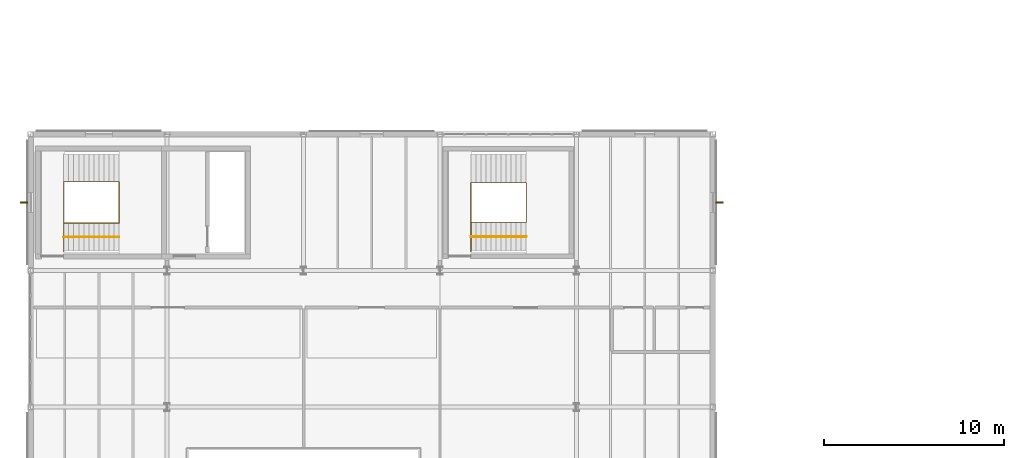
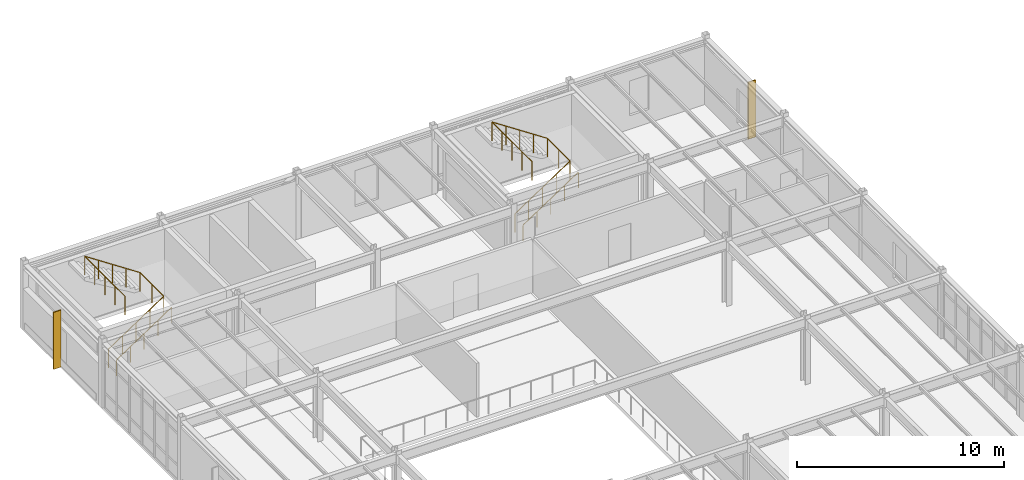
# One storey, part 158 of 165: 4 railings, 2 shading devices.
"""IFC4 building model written with IfcOpenShell, lengths in metres."""

from ifc_helpers import new_model, si_unit, direction, frame, origin, origin_2d, place, context, subcontext, project, spatial, rectangle, circle, extrude, material, type_object, element, save


model = new_model("IFC4")

# Units and contexts
model_context = context("Model", 3, precision=1e-05, world=origin(), true_north=direction((0.0, 1.0)))
body_context = subcontext(model_context, "Body", "Model", "MODEL_VIEW")
ifc_project = project(units=[si_unit("LENGTHUNIT", "METRE"), si_unit("AREAUNIT", "SQUARE_METRE"), si_unit("VOLUMEUNIT", "CUBIC_METRE"), si_unit("PLANEANGLEUNIT", "RADIAN"), si_unit("MASSUNIT", "GRAM", prefix="KILO")], contexts=[model_context])

# Site, building, storey
site_placement = place(None, origin())
site = spatial("IfcSite", under=ifc_project, at=site_placement, CompositionType="ELEMENT")
building_placement = place(site_placement, origin())
building = spatial("IfcBuilding", under=site, at=building_placement, Name="Montecoro Central Library", CompositionType="ELEMENT")
storey_placement = place(building_placement, frame((0.0, 0.0, 5.10009765625)))
storey = spatial("IfcBuildingStorey", under=building, at=storey_placement, Name="L01", CompositionType="ELEMENT", Elevation=5.10009765625)

# Railings
ifc_material_1 = material(Name="Brushed stainless steel and bronze balustrade", Category="steel")
railing_type_1 = type_object("IfcRailingType", Name="GRD-INT-110", PredefinedType="GUARDRAIL", material=ifc_material_1)
railing_1_placement = place(storey_placement, frame((6.840087890625, 106.449951171875, 0.0)))
element("IfcRailing", 1, at=railing_1_placement, inside=storey, type_object=railing_type_1, Name="C5-L01-STR-GRD", PredefinedType="GUARDRAIL", context=body_context, shape_type="SweptSolid", body=[
    extrude(circle(Radius=0.02392578125, at=origin_2d()), frame((0.0, 0.0, 1.09619140625), z_axis=(0.833724155633, 0.0, 0.552181158963), x_axis=(0.0, 1.0, 0.0)), (0.0, 0.0, 1.0), 3.694091796875),
    extrude(circle(Radius=0.02392578125, at=origin_2d()), frame((3.079833984375, 0.0, 3.1357421875), z_axis=(0.0, 1.0, 0.0), x_axis=(-1.0, 0.0, 0.0)), (0.0, 0.0, 1.0), 2.300048828125),
    extrude(circle(Radius=0.02392578125, at=origin_2d()), frame((3.079833984375, 2.300048828125, 3.1357421875), z_axis=(-0.833693729882, 0.0, 0.552227095275), x_axis=(0.0, -1.0, 0.0)), (0.0, 0.0, 1.0), 3.694091796875),
    extrude(circle(Radius=0.02392578125, at=origin_2d()), frame((0.0, 2.300048828125, 5.17578125), z_axis=(0.0, -1.0, 0.0), x_axis=(1.0, 0.0, 0.0)), (0.0, 0.0, 1.0), 3.89990234375),
    extrude(circle(Radius=0.02099609375, at=origin_2d()), origin(), (0.0, 0.0, 1.0), 1.072021484375),
    extrude(circle(Radius=0.02099609375, at=origin_2d()), frame((0.77001953125, 0.0, 0.510009765625)), (0.0, 0.0, 1.0), 1.072021484375),
    extrude(circle(Radius=0.02099609375, at=origin_2d()), frame((1.5400390625, 0.0, 1.02001953125)), (0.0, 0.0, 1.0), 1.072021484375),
    extrude(circle(Radius=0.02099609375, at=origin_2d()), frame((2.309814453125, 0.0, 1.52978515625)), (0.0, 0.0, 1.0), 1.072021484375),
    extrude(circle(Radius=0.02099609375, at=origin_2d()), frame((3.079833984375, 0.0, 2.039794921875)), (0.0, 0.0, 1.0), 1.072021484375),
    extrude(circle(Radius=0.02099609375, at=origin_2d()), frame((3.079833984375, 1.14990234375, 2.039794921875)), (0.0, 0.0, 1.0), 1.072021484375),
    extrude(circle(Radius=0.02099609375, at=origin_2d()), frame((3.079833984375, 2.300048828125, 2.039794921875)), (0.0, 0.0, 1.0), 1.072021484375),
    extrude(circle(Radius=0.02099609375, at=origin_2d()), frame((2.309814453125, 2.300048828125, 2.5498046875)), (0.0, 0.0, 1.0), 1.072021484375),
    extrude(circle(Radius=0.02099609375, at=origin_2d()), frame((1.5400390625, 2.300048828125, 3.059814453125)), (0.0, 0.0, 1.0), 1.072021484375),
    extrude(circle(Radius=0.02099609375, at=origin_2d()), frame((0.77001953125, 2.300048828125, 3.56982421875)), (0.0, 0.0, 1.0), 1.072021484375),
    extrude(circle(Radius=0.02099609375, at=origin_2d()), frame((0.0, 2.300048828125, 4.079833984375)), (0.0, 0.0, 1.0), 1.072021484375),
    extrude(circle(Radius=0.02099609375, at=origin_2d()), frame((0.0, 1.3251953125, 4.079833984375)), (0.0, 0.0, 1.0), 1.072021484375),
    extrude(circle(Radius=0.02099609375, at=origin_2d()), frame((0.0, 0.35009765625, 4.079833984375)), (0.0, 0.0, 1.0), 1.072021484375),
    extrude(circle(Radius=0.02099609375, at=origin_2d()), frame((0.0, -0.625, 4.079833984375)), (0.0, 0.0, 1.0), 1.072021484375),
    extrude(circle(Radius=0.02099609375, at=origin_2d()), frame((0.0, -1.599853515625, 4.079833984375)), (0.0, 0.0, 1.0), 1.072021484375),
])
railing_2_placement = place(storey_placement, frame((29.52001953125, 106.5, 0.0)))
element("IfcRailing", 2, at=railing_2_placement, inside=storey, type_object=railing_type_1, Name="C9-L01-STR-GRD", PredefinedType="GUARDRAIL", context=body_context, shape_type="SweptSolid", body=[
    extrude(circle(Radius=0.02392578125, at=origin_2d()), frame((0.0, 0.0, 1.09619140625), z_axis=(0.833744305047, 0.0, 0.552150734675), x_axis=(0.0, 1.0, 0.0)), (0.0, 0.0, 1.0), 3.6943359375),
    extrude(circle(Radius=0.02392578125, at=origin_2d()), frame((3.080078125, 0.0, 3.1357421875), z_axis=(0.0, 1.0, 0.0), x_axis=(-1.0, 0.0, 0.0)), (0.0, 0.0, 1.0), 2.199951171875),
    extrude(circle(Radius=0.02392578125, at=origin_2d()), frame((3.080078125, 2.199951171875, 3.1357421875), z_axis=(-0.833713881912, 0.0, 0.552196670677), x_axis=(0.0, -1.0, 0.0)), (0.0, 0.0, 1.0), 3.6943359375),
    extrude(circle(Radius=0.02392578125, at=origin_2d()), frame((0.0, 2.199951171875, 5.17578125), z_axis=(0.0, -1.0, 0.0), x_axis=(1.0, 0.0, 0.0)), (0.0, 0.0, 1.0), 3.849853515625),
    extrude(circle(Radius=0.02099609375, at=origin_2d()), origin(), (0.0, 0.0, 1.0), 1.072021484375),
    extrude(circle(Radius=0.02099609375, at=origin_2d()), frame((0.77001953125, 0.0, 0.510009765625)), (0.0, 0.0, 1.0), 1.072021484375),
    extrude(circle(Radius=0.02099609375, at=origin_2d()), frame((1.5400390625, 0.0, 1.02001953125)), (0.0, 0.0, 1.0), 1.072021484375),
    extrude(circle(Radius=0.02099609375, at=origin_2d()), frame((2.31005859375, 0.0, 1.52978515625)), (0.0, 0.0, 1.0), 1.072021484375),
    extrude(circle(Radius=0.02099609375, at=origin_2d()), frame((3.080078125, 0.0, 2.039794921875)), (0.0, 0.0, 1.0), 1.072021484375),
    extrude(circle(Radius=0.02099609375, at=origin_2d()), frame((3.080078125, 1.10009765625, 2.039794921875)), (0.0, 0.0, 1.0), 1.072021484375),
    extrude(circle(Radius=0.02099609375, at=origin_2d()), frame((3.080078125, 2.199951171875, 2.039794921875)), (0.0, 0.0, 1.0), 1.072021484375),
    extrude(circle(Radius=0.02099609375, at=origin_2d()), frame((2.31005859375, 2.199951171875, 2.5498046875)), (0.0, 0.0, 1.0), 1.072021484375),
    extrude(circle(Radius=0.02099609375, at=origin_2d()), frame((1.5400390625, 2.199951171875, 3.059814453125)), (0.0, 0.0, 1.0), 1.072021484375),
    extrude(circle(Radius=0.02099609375, at=origin_2d()), frame((0.77001953125, 2.199951171875, 3.56982421875)), (0.0, 0.0, 1.0), 1.072021484375),
    extrude(circle(Radius=0.02099609375, at=origin_2d()), frame((0.0, 2.199951171875, 4.079833984375)), (0.0, 0.0, 1.0), 1.072021484375),
    extrude(circle(Radius=0.02099609375, at=origin_2d()), frame((0.0, 1.237548828125, 4.079833984375)), (0.0, 0.0, 1.0), 1.072021484375),
    extrude(circle(Radius=0.02099609375, at=origin_2d()), frame((0.0, 0.27490234375, 4.079833984375)), (0.0, 0.0, 1.0), 1.072021484375),
    extrude(circle(Radius=0.02099609375, at=origin_2d()), frame((0.0, -0.6875, 4.079833984375)), (0.0, 0.0, 1.0), 1.072021484375),
    extrude(circle(Radius=0.02099609375, at=origin_2d()), frame((0.0, -1.64990234375, 4.079833984375)), (0.0, 0.0, 1.0), 1.072021484375),
])
ifc_material_2 = material(Name="Brushed architectural bronze handrail")
railing_type_2 = type_object("IfcRailingType", Name="HRL-STR-095", PredefinedType="HANDRAIL", material=ifc_material_2)
railing_3_placement = place(storey_placement, frame((6.840087890625, 105.675048828125, 0.0)))
element("IfcRailing", 3, at=railing_3_placement, inside=storey, type_object=railing_type_2, Name="C5-L01-STR-HR1", PredefinedType="HANDRAIL", context=body_context, shape_type="SweptSolid", body=[
    extrude(circle(Radius=0.02392578125, at=origin_2d()), frame((0.0, 0.0, 0.92578125), z_axis=(0.833724155633, 0.0, 0.552181158963), x_axis=(0.0, 1.0, 0.0)), (0.0, 0.0, 1.0), 3.694091796875),
    extrude(circle(Radius=0.02099609375, at=origin_2d()), origin(), (0.0, 0.0, 1.0), 0.90185546875),
    extrude(circle(Radius=0.02099609375, at=origin_2d()), frame((0.77001953125, 0.0, 0.510009765625)), (0.0, 0.0, 1.0), 0.90185546875),
    extrude(circle(Radius=0.02099609375, at=origin_2d()), frame((1.5400390625, 0.0, 1.02001953125)), (0.0, 0.0, 1.0), 0.90185546875),
    extrude(circle(Radius=0.02099609375, at=origin_2d()), frame((2.309814453125, 0.0, 1.52978515625)), (0.0, 0.0, 1.0), 0.90185546875),
    extrude(circle(Radius=0.02099609375, at=origin_2d()), frame((3.079833984375, 0.0, 2.039794921875)), (0.0, 0.0, 1.0), 0.90185546875),
])
railing_4_placement = place(storey_placement, frame((29.52001953125, 105.699951171875, 0.0)))
element("IfcRailing", 4, at=railing_4_placement, inside=storey, type_object=railing_type_2, Name="C9-L01-STR-HR1", PredefinedType="HANDRAIL", context=body_context, shape_type="SweptSolid", body=[
    extrude(circle(Radius=0.02392578125, at=origin_2d()), frame((0.0, 0.0, 0.92578125), z_axis=(0.833744305047, 0.0, 0.552150734675), x_axis=(0.0, 1.0, 0.0)), (0.0, 0.0, 1.0), 3.6943359375),
    extrude(circle(Radius=0.02099609375, at=origin_2d()), origin(), (0.0, 0.0, 1.0), 0.90185546875),
    extrude(circle(Radius=0.02099609375, at=origin_2d()), frame((0.77001953125, 0.0, 0.510009765625)), (0.0, 0.0, 1.0), 0.90185546875),
    extrude(circle(Radius=0.02099609375, at=origin_2d()), frame((1.5400390625, 0.0, 1.02001953125)), (0.0, 0.0, 1.0), 0.90185546875),
    extrude(circle(Radius=0.02099609375, at=origin_2d()), frame((2.31005859375, 0.0, 1.52978515625)), (0.0, 0.0, 1.0), 0.90185546875),
    extrude(circle(Radius=0.02099609375, at=origin_2d()), frame((3.080078125, 0.0, 2.039794921875)), (0.0, 0.0, 1.0), 0.90185546875),
])

# Shading devices
ifc_material_3 = material(Name="Architectural bronze solar fin", Category="aluminium")
shading_device_type = type_object("IfcShadingDeviceType", Name="SHD-FIN-09", PredefinedType="USERDEFINED", material=ifc_material_3)
for number, where, z_axis, x_axis, name in (
    (5, (43.363037109375, 107.60009765625, 0.06005859375), (0.0, 0.0, 1.0), (0.0, 1.0, 0.0), "V4-L01-FIN-E4"),
    (6, (4.636962890625, 107.60009765625, 0.06005859375), (0.0, 0.0, 1.0), (0.0, -1.0, 0.0), "V4-L01-FIN-W4"),
):
    element("IfcShadingDevice", number, at=place(storey_placement, frame(where, z_axis=z_axis, x_axis=x_axis)), inside=storey, type_object=shading_device_type, Name=name, ObjectType="SOLAR FIN", PredefinedType="USERDEFINED", context=body_context, shape_type="SweptSolid", body=[
        extrude(rectangle(XDim=0.06005859375, YDim=0.419921875, at=origin_2d()), origin(), (0.0, 0.0, 1.0), 3.360107421875),
    ])

save(model, "model.ifc")
